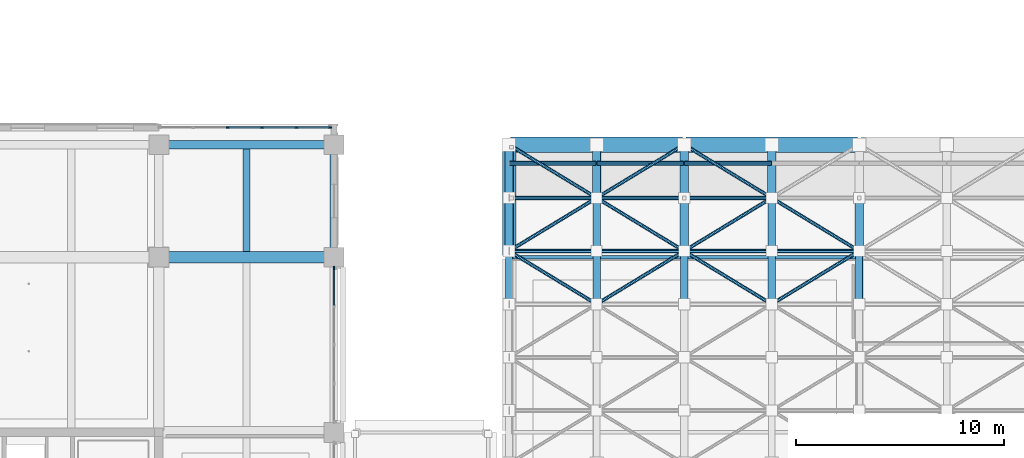
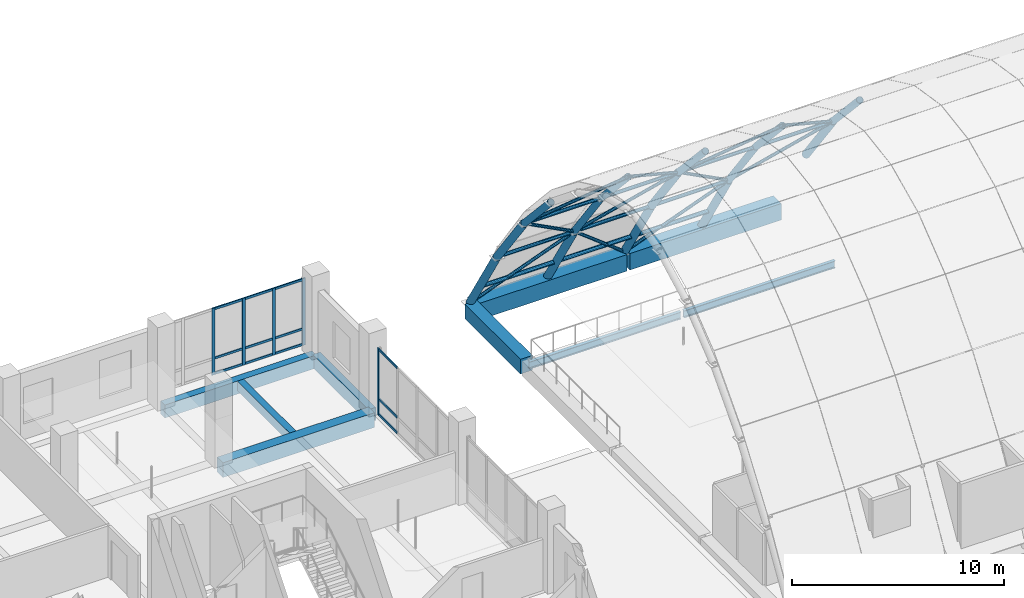
# One storey, part 27 of 128: 44 members, 17 beams, 2 elements without a shape of their own.
"""IFC4 building model written with IfcOpenShell, lengths in metres."""

import ifcopenshell
import ifcopenshell.guid

model = None  # the IFC model being written
_history = None  # IfcOwnerHistory: only IFC2X3 demands one
_inside = {}  # id of a spatial element -> (the spatial element, [elements in it])
_under = {}  # id of a project, library or spatial element -> (it, [spatial elements below it])
_declared = {}  # id of a project -> (the project, [libraries it declares])
_typed = {}  # id of a type object -> (the type object, [elements of that type])
_made_of = {}  # id of a material, layer set ... -> (it, [elements and type objects made of it])


def new_model(schema):
    """Start an empty IFC model of exactly this schema.

    Asked for "IFC4X3", IfcOpenShell would pick the latest addendum, in which some entities
    have other attributes; the version numbers below select the first issue.
    IFC2X3 requires an IfcOwnerHistory on every rooted entity: one is made here for all.
    """
    global model, _history
    if schema == "IFC4X3":
        model = ifcopenshell.file(schema_version=(4, 3, 0, 0))
    else:
        model = ifcopenshell.file(schema=schema)
    _inside.clear()
    _under.clear()
    _declared.clear()
    _typed.clear()
    _made_of.clear()
    _history = None
    if model.schema == "IFC2X3":
        org = make("IfcOrganization", Name="unknown")
        user = make(
            "IfcPersonAndOrganization",
            ThePerson=make("IfcPerson", FamilyName="unknown"),
            TheOrganization=org,
        )
        app = make(
            "IfcApplication",
            ApplicationDeveloper=org,
            Version="unknown",
            ApplicationFullName="unknown",
            ApplicationIdentifier="unknown",
        )
        _history = make(
            "IfcOwnerHistory",
            OwningUser=user,
            OwningApplication=app,
            ChangeAction="ADDED",
            CreationDate=0,
        )
    return model


def make(cls, **values):
    """One entity of the class cls with the attributes given. An attribute that is None is left unset."""
    return model.create_entity(
        cls, **{name: value for name, value in values.items() if value is not None}
    )


def rooted(cls, **values):
    """An entity with a GlobalId (a new one), such as an element, a storey or a relation."""
    return make(cls, GlobalId=ifcopenshell.guid.new(), OwnerHistory=_history, **values)


def si_unit(unit_type, name, prefix=None):
    """IfcSIUnit, for example si_unit("LENGTHUNIT", "METRE", prefix="MILLI")."""
    return make("IfcSIUnit", UnitType=unit_type, Prefix=prefix, Name=name)


def assignment(units):
    """IfcUnitAssignment: the units of a project."""
    return None if units is None else make("IfcUnitAssignment", Units=units)


def point(xyz):
    """IfcCartesianPoint."""
    return None if xyz is None else make("IfcCartesianPoint", Coordinates=xyz)


def direction(xyz):
    """IfcDirection."""
    return None if xyz is None else make("IfcDirection", DirectionRatios=xyz)


def frame(location, z_axis=None, x_axis=None):
    """IfcAxis2Placement3D, a coordinate frame: its origin and axes. An axis left out is left unset."""
    return make(
        "IfcAxis2Placement3D",
        Location=point(location),
        Axis=direction(z_axis),
        RefDirection=direction(x_axis),
    )


def frame_2d(location, x_axis=None):
    """IfcAxis2Placement2D, a coordinate frame in the plane: its origin and x axis."""
    return make(
        "IfcAxis2Placement2D", Location=point(location), RefDirection=direction(x_axis)
    )


def origin():
    """The frame at (0, 0, 0) with its axes left unset."""
    return frame((0.0, 0.0, 0.0))


def origin_2d():
    """The frame at (0, 0) in the plane with its x axis left unset."""
    return frame_2d((0.0, 0.0))


def place(relative_to, where):
    """IfcLocalPlacement: puts the frame where relative to a parent placement (None: the world)."""
    return make(
        "IfcLocalPlacement", PlacementRelTo=relative_to, RelativePlacement=where
    )


def context(
    kind, dimensions, precision=None, world=None, true_north=None, identifier=None
):
    """IfcGeometricRepresentationContext, for example the 3D "Model" context."""
    return make(
        "IfcGeometricRepresentationContext",
        ContextIdentifier=identifier,
        ContextType=kind,
        CoordinateSpaceDimension=dimensions,
        Precision=precision,
        WorldCoordinateSystem=world,
        TrueNorth=true_north,
    )


def subcontext(parent, identifier, kind, view, scale=None):
    """IfcGeometricRepresentationSubContext, for example "Body" below "Model"."""
    return make(
        "IfcGeometricRepresentationSubContext",
        ContextIdentifier=identifier,
        ContextType=kind,
        ParentContext=parent,
        TargetScale=scale,
        TargetView=view,
    )


def project(units=None, contexts=None):
    """IfcProject with its units and contexts."""
    return rooted(
        "IfcProject",
        Name="project",
        RepresentationContexts=contexts,
        UnitsInContext=assignment(units),
    )


def spatial(cls, under=None, at=None, **own):
    """A site, building, storey or space (cls), placed at a placement, below another one or the project."""
    s = rooted(cls, ObjectPlacement=at, **own)
    if under is not None:
        _under.setdefault(under.id(), (under, []))[1].append(s)
    return s


def profile(cls, at=None, kind="AREA", **sizes):
    """A parametric profile (cls). Its sizes go by their IFC names, for example OverallWidth=200.0."""
    return make(cls, ProfileType=kind, Position=at, **sizes)


def rectangle(**sizes):
    """IfcRectangleProfileDef."""
    return profile("IfcRectangleProfileDef", **sizes)


def hollow_circle(**sizes):
    """IfcCircleHollowProfileDef."""
    return profile("IfcCircleHollowProfileDef", **sizes)


def i_section(**sizes):
    """IfcIShapeProfileDef."""
    return profile("IfcIShapeProfileDef", **sizes)


def extrude(swept, where, along, depth):
    """IfcExtrudedAreaSolid: the profile swept, set in the frame where, extruded along a direction by depth."""
    return make(
        "IfcExtrudedAreaSolid",
        SweptArea=swept,
        Position=where,
        ExtrudedDirection=direction(along),
        Depth=depth,
    )


def shape(context_of_items, identifier, shape_type, items):
    """IfcShapeRepresentation: the items that make up one representation, for example the "Body"."""
    return make(
        "IfcShapeRepresentation",
        ContextOfItems=context_of_items,
        RepresentationIdentifier=identifier,
        RepresentationType=shape_type,
        Items=items,
    )


def material(Name=None, Category=None):
    """IfcMaterial."""
    return make("IfcMaterial", Name=Name, Category=Category)


def layer(
    of_material, thickness, ventilated=None, Name=None, Category=None, Priority=None
):
    """IfcMaterialLayer: one layer of a wall or slab, of a material (None: an air gap)."""
    return make(
        "IfcMaterialLayer",
        Material=of_material,
        LayerThickness=thickness,
        IsVentilated=ventilated,
        Name=Name,
        Category=Category,
        Priority=Priority,
    )


def layer_set(layers, Name=None):
    """IfcMaterialLayerSet."""
    return make("IfcMaterialLayerSet", MaterialLayers=layers, LayerSetName=Name)


def material_profile(
    of_material, cross_section, Name=None, Category=None, Priority=None
):
    """IfcMaterialProfile: a cross section and its material."""
    return make(
        "IfcMaterialProfile",
        Name=Name,
        Material=of_material,
        Profile=cross_section,
        Priority=Priority,
        Category=Category,
    )


def profile_set(profiles, Name=None, composite=None):
    """IfcMaterialProfileSet."""
    return make(
        "IfcMaterialProfileSet",
        Name=Name,
        MaterialProfiles=profiles,
        CompositeProfile=composite,
    )


def made_of(thing, what):
    """Note that an element or type object is made of a material, layer set ...; save() writes the relation."""
    if what is not None:
        _made_of.setdefault(what.id(), (what, []))[1].append(thing)
    return thing


def type_object(cls, material=None, **own):
    """A type object (cls), such as IfcWallType, which elements share."""
    return made_of(rooted(cls, **own), material)


def element(
    cls,
    number,
    at=None,
    inside=None,
    cuts=None,
    type_object=None,
    material=None,
    context=None,
    identifier="Body",
    shape_type=None,
    held_by="IfcProductDefinitionShape",
    body=None,
    shapes=None,
    **own,
):
    """One element of the class cls, such as IfcWall. Its Tag is "e" and its number.

    at: its placement. inside: the storey or other place that contains it. cuts: it is an
    opening in that element (IfcRelVoidsElement). A single representation is given by context,
    identifier, shape_type and body (its items); several are given by shapes. held_by: the class
    of the entity that holds the representations. save() writes the other relations.
    """
    e = rooted(cls, Tag="e%d" % number, ObjectPlacement=at, **own)
    if body is not None:
        shapes = [shape(context, identifier, shape_type, body)]
    if shapes is not None:
        e.Representation = make(held_by, Representations=shapes)
    if inside is not None:
        _inside.setdefault(inside.id(), (inside, []))[1].append(e)
    if cuts is not None:
        rooted(
            "IfcRelVoidsElement", RelatingBuildingElement=cuts, RelatedOpeningElement=e
        )
    if type_object is not None:
        _typed.setdefault(type_object.id(), (type_object, []))[1].append(e)
    return made_of(e, material)


def aggregate(whole, parts):
    """IfcRelAggregates: a whole, such as a stair, and the parts it consists of."""
    return rooted("IfcRelAggregates", RelatingObject=whole, RelatedObjects=parts)


def save(model, path):
    """Write the relations noted so far, then the file.

    IfcRelAggregates (storeys below a building ...), IfcRelContainedInSpatialStructure (elements
    in a storey), IfcRelDefinesByType, IfcRelAssociatesMaterial and IfcRelDeclares: one each for
    every whole, place, type object, material and project.
    """
    for whole, parts in _under.values():
        aggregate(whole, parts)
    for where, things in _inside.values():
        rooted(
            "IfcRelContainedInSpatialStructure",
            RelatedElements=things,
            RelatingStructure=where,
        )
    for kind, things in _typed.values():
        rooted("IfcRelDefinesByType", RelatedObjects=things, RelatingType=kind)
    for what, things in _made_of.values():
        rooted("IfcRelAssociatesMaterial", RelatedObjects=things, RelatingMaterial=what)
    for by, libraries in _declared.values():
        rooted("IfcRelDeclares", RelatingContext=by, RelatedDefinitions=libraries)
    model.write(path)


model = new_model("IFC4")

# Units and contexts
model_context = context("Model", 3, precision=1e-05, world=origin(), true_north=direction((0.0, 1.0)))
body_context = subcontext(model_context, "Body", "Model", "MODEL_VIEW")
ifc_project = project(units=[si_unit("LENGTHUNIT", "METRE"), si_unit("AREAUNIT", "SQUARE_METRE"), si_unit("VOLUMEUNIT", "CUBIC_METRE"), si_unit("PLANEANGLEUNIT", "RADIAN"), si_unit("MASSUNIT", "GRAM", prefix="KILO")], contexts=[model_context])

# Site, building, storey
site_placement = place(None, origin())
site = spatial("IfcSite", under=ifc_project, at=site_placement, CompositionType="ELEMENT")
building_placement = place(site_placement, origin())
building = spatial("IfcBuilding", under=site, at=building_placement, Name="Telukmera Botanical Conservatory", CompositionType="ELEMENT")
storey_placement = place(building_placement, frame((0.0, 0.0, 5.39990234375)))
storey = spatial("IfcBuildingStorey", under=building, at=storey_placement, Name="L01", CompositionType="ELEMENT", Elevation=5.39990234375)

# Beams
ifc_material_1 = material(Name="Concrete C40/50", Category="concrete")
ifc_material_profile_1 = material_profile(ifc_material_1, rectangle(XDim=0.35009765625, YDim=0.550048828125, at=origin_2d()), Name="RC 350x550")
ifc_profile_set_1 = profile_set([ifc_material_profile_1], Name="Concrete C40/50")
beam_type_1 = type_object("IfcBeamType", Name="Beam_B21", PredefinedType="JOIST", material=ifc_profile_set_1)
beam_1_placement = place(storey_placement, frame((105.0, 43.074951171875, -0.27490234375), z_axis=(0.0, 1.0, 0.0), x_axis=(-1.0, 0.0, 0.0)))
element("IfcBeam", 1, at=beam_1_placement, inside=storey, type_object=beam_type_1, Name="Tower Secondary Floor Joist L01", PredefinedType="JOIST", context=body_context, shape_type="SweptSolid", body=[
    extrude(rectangle(XDim=0.35009765625, YDim=0.550048828125, at=origin_2d()), origin(), (0.0, 0.0, 1.0), 4.925048828125),
])
ifc_material_profile_2 = material_profile(ifc_material_1, rectangle(XDim=0.550048828125, YDim=0.85009765625, at=origin_2d()), Name="RC 550x850")
ifc_profile_set_2 = profile_set([ifc_material_profile_2], Name="Concrete C40/50")
beam_type_2 = type_object("IfcBeamType", Name="Beam_B4", PredefinedType="BEAM", material=ifc_profile_set_2)
beam_2_placement = place(storey_placement, frame((100.8798828125, 42.800048828125, -0.4248046875), z_axis=(1.0, 0.0, 0.0), x_axis=(0.0, 1.0, 0.0)))
element("IfcBeam", 2, at=beam_2_placement, inside=storey, type_object=beam_type_2, Name="Tower Grid Beam L01", PredefinedType="BEAM", context=body_context, shape_type="SweptSolid", body=[
    extrude(rectangle(XDim=0.550048828125, YDim=0.85009765625, at=origin_2d()), origin(), (0.0, 0.0, 1.0), 8.240234375),
])
ifc_material_2 = material(Name="Steel S355", Category="steel")
ifc_material_profile_3 = material_profile(ifc_material_2, hollow_circle(Radius=0.203125, WallThickness=0.01611328125, at=origin_2d()), Name="CHS 406.4x16.0")
ifc_profile_set_3 = profile_set([ifc_material_profile_3], Name="Steel S355")
beam_type_3 = type_object("IfcBeamType", Name="Beam_GA1", PredefinedType="BEAM", material=ifc_profile_set_3)
beam_3_placement = place(storey_placement, frame((117.60009765625, 43.11181640625, 7.562255859375), z_axis=(0.0, 0.591606531355, -0.806226836603), x_axis=(-1.0, 0.0, 0.0)))
element("IfcBeam", 3, at=beam_3_placement, inside=storey, type_object=beam_type_3, Name="Conservatory Gridshell Primary Arch Rib A00-10", PredefinedType="BEAM", context=body_context, shape_type="SweptSolid", body=[
    extrude(hollow_circle(Radius=0.203125, WallThickness=0.01611328125, at=origin_2d()), origin(), (0.0, 0.0, 1.0), 4.270263671875),
])
beam_4_placement = place(storey_placement, frame((117.60009765625, 45.660400390625, 4.086181640625), z_axis=(0.0, 0.5205024389, -0.853860182406), x_axis=(-1.0, 0.0, 0.0)))
element("IfcBeam", 4, at=beam_4_placement, inside=storey, type_object=beam_type_3, Name="Conservatory Gridshell Primary Arch Rib A00-11", PredefinedType="BEAM", context=body_context, shape_type="SweptSolid", body=[
    extrude(hollow_circle(Radius=0.203125, WallThickness=0.01611328125, at=origin_2d()), origin(), (0.0, 0.0, 1.0), 4.879150390625),
])
beam_5_placement = place(storey_placement, frame((126.0, 43.11181640625, 7.562255859375), z_axis=(0.0, 0.591606531355, -0.806226836603), x_axis=(-1.0, 0.0, 0.0)))
element("IfcBeam", 5, at=beam_5_placement, inside=storey, type_object=beam_type_3, Name="Conservatory Gridshell Primary Arch Rib A02-10", PredefinedType="BEAM", context=body_context, shape_type="SweptSolid", body=[
    extrude(hollow_circle(Radius=0.203125, WallThickness=0.01611328125, at=origin_2d()), origin(), (0.0, 0.0, 1.0), 4.270263671875),
])
beam_6_placement = place(storey_placement, frame((126.0, 45.660400390625, 4.086181640625), z_axis=(0.0, 0.5205024389, -0.853860182406), x_axis=(-1.0, 0.0, 0.0)))
element("IfcBeam", 6, at=beam_6_placement, inside=storey, type_object=beam_type_3, Name="Conservatory Gridshell Primary Arch Rib A02-11", PredefinedType="BEAM", context=body_context, shape_type="SweptSolid", body=[
    extrude(hollow_circle(Radius=0.203125, WallThickness=0.01611328125, at=origin_2d()), origin(), (0.0, 0.0, 1.0), 4.879150390625),
])
beam_7_placement = place(storey_placement, frame((134.39990234375, 43.11181640625, 7.562255859375), z_axis=(0.0, 0.591606531355, -0.806226836603), x_axis=(-1.0, 0.0, 0.0)))
element("IfcBeam", 7, at=beam_7_placement, inside=storey, type_object=beam_type_3, Name="Conservatory Gridshell Primary Arch Rib A04-10", PredefinedType="BEAM", context=body_context, shape_type="SweptSolid", body=[
    extrude(hollow_circle(Radius=0.203125, WallThickness=0.01611328125, at=origin_2d()), origin(), (0.0, 0.0, 1.0), 4.270263671875),
])
ifc_material_profile_4 = material_profile(ifc_material_2, hollow_circle(Radius=0.177734375, WallThickness=0.012451171875, at=origin_2d()), Name="CHS 355.6x12.5")
ifc_profile_set_4 = profile_set([ifc_material_profile_4], Name="Steel S355")
beam_type_4 = type_object("IfcBeamType", Name="Beam_GA2", PredefinedType="BEAM", material=ifc_profile_set_4)
for number, where, z_axis, x_axis, name in (
    (8, (117.60009765625, 40.563720703125, 10.3310546875), (0.0, 0.677596185256, -0.7354341641), (-1.0, 0.0, 0.0), "Conservatory Gridshell Primary Arch Rib A00-09"),
    (9, (126.0, 40.563720703125, 10.3310546875), (0.0, 0.677596185256, -0.7354341641), (-1.0, 0.0, 0.0), "Conservatory Gridshell Primary Arch Rib A02-09"),
    (10, (134.39990234375, 40.563720703125, 10.3310546875), (0.0, 0.677596185256, -0.7354341641), (-1.0, 0.0, 0.0), "Conservatory Gridshell Primary Arch Rib A04-09"),
):
    element("IfcBeam", number, at=place(storey_placement, frame(where, z_axis=z_axis, x_axis=x_axis)), inside=storey, type_object=beam_type_4, Name=name, PredefinedType="BEAM", context=body_context, shape_type="SweptSolid", body=[
        extrude(hollow_circle(Radius=0.177734375, WallThickness=0.012451171875, at=origin_2d()), origin(), (0.0, 0.0, 1.0), 3.722900390625),
    ])
ifc_material_profile_5 = material_profile(ifc_material_1, rectangle(XDim=0.75, YDim=0.949951171875, at=origin_2d()), Name="RC 750x950")
ifc_profile_set_5 = profile_set([ifc_material_profile_5], Name="Concrete C40/50")
beam_type_5 = type_object("IfcBeamType", Name="Beam_RB1", PredefinedType="BEAM", material=ifc_profile_set_5)
for number, where, z_axis, x_axis, name in (
    (11, (117.679931640625, 48.199951171875, -0.474853515625), (1.0, 0.0, 0.0), (0.0, 1.0, 0.0), "Conservatory Beam beam:V1:L01:rb_x:482:1176"),
    (12, (126.080078125, 48.199951171875, -0.474853515625), (1.0, 0.0, 0.0), (0.0, 1.0, 0.0), "Conservatory Beam beam:V1:L01:rb_x:482:1260"),
):
    element("IfcBeam", number, at=place(storey_placement, frame(where, z_axis=z_axis, x_axis=x_axis)), inside=storey, type_object=beam_type_5, Name=name, PredefinedType="BEAM", context=body_context, shape_type="SweptSolid", body=[
        extrude(rectangle(XDim=0.75, YDim=0.949951171875, at=origin_2d()), origin(), (0.0, 0.0, 1.0), 8.239990234375),
    ])
ifc_material_profile_6 = material_profile(ifc_material_1, rectangle(XDim=0.64990234375, YDim=0.85009765625, at=origin_2d()), Name="RC 650x850")
ifc_profile_set_6 = profile_set([ifc_material_profile_6], Name="Concrete C40/50")
beam_type_6 = type_object("IfcBeamType", Name="Beam_RB2", PredefinedType="BEAM", material=ifc_profile_set_6)
beam_8_placement = place(storey_placement, frame((117.60009765625, 42.8798828125, -0.4248046875), z_axis=(0.0, 1.0, 0.0), x_axis=(-1.0, 0.0, 0.0)))
element("IfcBeam", 13, at=beam_8_placement, inside=storey, type_object=beam_type_6, Name="Conservatory Beam beam:V1:L01:rb_y:1176:428", PredefinedType="BEAM", context=body_context, shape_type="SweptSolid", body=[
    extrude(rectangle(XDim=0.64990234375, YDim=0.85009765625, at=origin_2d()), origin(), (0.0, 0.0, 1.0), 5.240234375),
])
ifc_material_profile_7 = material_profile(ifc_material_2, i_section(OverallWidth=0.1787109375, OverallDepth=0.409423828125, WebThickness=0.0087890625, FlangeThickness=0.014404296875, FilletRadius=0.01025390625, at=origin_2d()), Name="UB 406x178x67")
ifc_profile_set_7 = profile_set([ifc_material_profile_7], Name="Steel S355")
beam_type_7 = type_object("IfcBeamType", Name="Beam_SB4", PredefinedType="BEAM", material=ifc_profile_set_7)
for number, where, z_axis, x_axis, name in (
    (14, (117.679931640625, 42.800048828125, -0.404541015625), (1.0, 0.0, 0.0), (0.0, 1.0, 0.0), "Conservatory Skywalk Steel Girder"),
    (15, (126.080078125, 42.800048828125, -0.404541015625), (1.0, 0.0, 0.0), (0.0, 1.0, 0.0), "Conservatory Skywalk Steel Girder"),
):
    element("IfcBeam", number, at=place(storey_placement, frame(where, z_axis=z_axis, x_axis=x_axis)), inside=storey, type_object=beam_type_7, Name=name, PredefinedType="BEAM", context=body_context, shape_type="SweptSolid", body=[
        extrude(i_section(OverallWidth=0.1787109375, OverallDepth=0.409423828125, WebThickness=0.0087890625, FlangeThickness=0.014404296875, FilletRadius=0.01025390625, at=origin_2d()), origin(), (0.0, 0.0, 1.0), 8.239990234375),
    ])
ifc_material_3 = material(Name="Precast concrete C40/50", Category="concrete")
ifc_material_profile_8 = material_profile(ifc_material_3, rectangle(XDim=0.39990234375, YDim=0.75, at=origin_2d()), Name="PC 400x750")
ifc_profile_set_8 = profile_set([ifc_material_profile_8], Name="Precast concrete C40/50")
beam_type_8 = type_object("IfcBeamType", Name="Beam_SP1", PredefinedType="SPANDREL", material=ifc_profile_set_8)
beam_9_placement = place(storey_placement, frame((100.8798828125, 48.199951171875, -0.375), z_axis=(1.0, 0.0, 0.0), x_axis=(0.0, 1.0, 0.0)))
element("IfcBeam", 16, at=beam_9_placement, inside=storey, type_object=beam_type_8, Name="Tower Grid Beam L01", PredefinedType="SPANDREL", context=body_context, shape_type="SweptSolid", body=[
    extrude(rectangle(XDim=0.39990234375, YDim=0.75, at=origin_2d()), origin(), (0.0, 0.0, 1.0), 8.240234375),
])
beam_10_placement = place(storey_placement, frame((109.199951171875, 42.8798828125, -0.375), z_axis=(0.0, 1.0, 0.0), x_axis=(-1.0, 0.0, 0.0)))
element("IfcBeam", 17, at=beam_10_placement, inside=storey, type_object=beam_type_8, Name="Tower Transverse Beam L01", PredefinedType="SPANDREL", context=body_context, shape_type="SweptSolid", body=[
    extrude(rectangle(XDim=0.39990234375, YDim=0.75, at=origin_2d()), origin(), (0.0, 0.0, 1.0), 5.240234375),
])

# Curtain wall, members
ifc_material_4 = material(Name="Anodised aluminium 6063-T6", Category="aluminium")
ifc_layer = layer(ifc_material_4, 0.179931640625)
ifc_layer_set = layer_set([ifc_layer], Name="Anodised aluminium 6063-T6")
curtain_wall_type = type_object("IfcCurtainWallType", Name="Tower Reference Library Curtain Wall", PredefinedType="USERDEFINED", material=ifc_layer_set)
curtain_wall_1_placement = place(storey_placement, origin())
curtain_wall_1 = element("IfcCurtainWall", 18, at=curtain_wall_1_placement, inside=storey, type_object=curtain_wall_type, Name="Unitised Curtain Wall CW13 V4:L01:N7", ObjectType="UNITISED CURTAIN WALL", PredefinedType="USERDEFINED")
ifc_material_profile_9 = material_profile(ifc_material_4, rectangle(XDim=0.06494140625, YDim=0.159912109375, at=origin_2d()), Name="ALU MULL 65x160")
ifc_profile_set_9 = profile_set([ifc_material_profile_9], Name="Anodised aluminium 6063-T6")
member_type_1 = type_object("IfcMemberType", Name="Curtain Wall Extruded Mullion 65x160", PredefinedType="MULLION", material=ifc_profile_set_9)
member_1_placement = place(storey_placement, frame((104.100341796875, 49.02001953125, 0.0), z_axis=(0.0, 0.0, 1.0), x_axis=(0.0, 1.0, 0.0)))
member_1 = element("IfcMember", 19, at=member_1_placement, type_object=member_type_1, Name="CW13 mullion 3", PredefinedType="MULLION", context=body_context, shape_type="SweptSolid", body=[
    extrude(rectangle(XDim=0.06494140625, YDim=0.159912109375, at=origin_2d()), origin(), (0.0, 0.0, 1.0), 3.85009765625),
])
member_2_placement = place(storey_placement, frame((105.74951171875, 49.02001953125, 0.0), z_axis=(0.0, 0.0, 1.0), x_axis=(0.0, 1.0, 0.0)))
member_2 = element("IfcMember", 20, at=member_2_placement, type_object=member_type_1, Name="CW13 mullion 4", PredefinedType="MULLION", context=body_context, shape_type="SweptSolid", body=[
    extrude(rectangle(XDim=0.06494140625, YDim=0.159912109375, at=origin_2d()), origin(), (0.0, 0.0, 1.0), 3.85009765625),
])
member_3_placement = place(storey_placement, frame((107.398681640625, 49.02001953125, 0.0), z_axis=(0.0, 0.0, 1.0), x_axis=(0.0, 1.0, 0.0)))
member_3 = element("IfcMember", 21, at=member_3_placement, type_object=member_type_1, Name="CW13 mullion 5", PredefinedType="MULLION", context=body_context, shape_type="SweptSolid", body=[
    extrude(rectangle(XDim=0.06494140625, YDim=0.159912109375, at=origin_2d()), origin(), (0.0, 0.0, 1.0), 3.85009765625),
])
member_4_placement = place(storey_placement, frame((109.015380859375, 49.02001953125, 0.0), z_axis=(0.0, 0.0, 1.0), x_axis=(0.0, 1.0, 0.0)))
member_4 = element("IfcMember", 22, at=member_4_placement, type_object=member_type_1, Name="CW13 mullion 6", PredefinedType="MULLION", context=body_context, shape_type="SweptSolid", body=[
    extrude(rectangle(XDim=0.06494140625, YDim=0.159912109375, at=origin_2d()), origin(), (0.0, 0.0, 1.0), 3.85009765625),
])

# Curtain wall, member
curtain_wall_2_placement = place(storey_placement, origin())
curtain_wall_2 = element("IfcCurtainWall", 23, at=curtain_wall_2_placement, inside=storey, type_object=curtain_wall_type, Name="Unitised Curtain Wall CW13 V4:L01:E4", ObjectType="UNITISED CURTAIN WALL", PredefinedType="USERDEFINED")
member_5_placement = place(storey_placement, frame((109.199951171875, 42.29052734375, 0.0), z_axis=(0.0, 0.0, 1.0), x_axis=(-1.0, 0.0, 0.0)))
member_5 = element("IfcMember", 24, at=member_5_placement, type_object=member_type_1, Name="CW13 mullion 5", PredefinedType="MULLION", context=body_context, shape_type="SweptSolid", body=[
    extrude(rectangle(XDim=0.06494140625, YDim=0.159912109375, at=origin_2d()), origin(), (0.0, 0.0, 1.0), 3.85009765625),
])

# Member
ifc_material_profile_10 = material_profile(ifc_material_4, rectangle(XDim=0.06494140625, YDim=0.1298828125, at=origin_2d()), Name="ALU TRAN 65x130")
ifc_profile_set_10 = profile_set([ifc_material_profile_10], Name="Anodised aluminium 6063-T6")
member_type_2 = type_object("IfcMemberType", Name="Curtain Wall Extruded Transom 65x130", PredefinedType="USERDEFINED", material=ifc_profile_set_10)
member_6_placement = place(storey_placement, frame((104.1328125, 49.02001953125, 0.065185546875), z_axis=(1.0, 0.0, 0.0), x_axis=(0.0, 1.0, 0.0)))
member_6 = element("IfcMember", 25, at=member_6_placement, type_object=member_type_2, Name="CW13 transom 3.1", ObjectType="TRANSOM", PredefinedType="USERDEFINED", context=body_context, shape_type="SweptSolid", body=[
    extrude(rectangle(XDim=0.06494140625, YDim=0.1298828125, at=origin_2d()), origin(), (0.0, 0.0, 1.0), 1.584228515625),
])

member_7_placement = place(storey_placement, frame((104.1328125, 49.02001953125, 0.9501953125), z_axis=(1.0, 0.0, 0.0), x_axis=(0.0, 1.0, 0.0)))
member_7 = element("IfcMember", 26, at=member_7_placement, type_object=member_type_2, Name="CW13 transom 3.2", ObjectType="TRANSOM", PredefinedType="USERDEFINED", context=body_context, shape_type="SweptSolid", body=[
    extrude(rectangle(XDim=0.06494140625, YDim=0.1298828125, at=origin_2d()), origin(), (0.0, 0.0, 1.0), 1.584228515625),
])

member_8_placement = place(storey_placement, frame((104.1328125, 49.02001953125, 3.78515625), z_axis=(1.0, 0.0, 0.0), x_axis=(0.0, 1.0, 0.0)))
member_8 = element("IfcMember", 27, at=member_8_placement, type_object=member_type_2, Name="CW13 transom 3.3", ObjectType="TRANSOM", PredefinedType="USERDEFINED", context=body_context, shape_type="SweptSolid", body=[
    extrude(rectangle(XDim=0.06494140625, YDim=0.1298828125, at=origin_2d()), origin(), (0.0, 0.0, 1.0), 1.584228515625),
])

member_9_placement = place(storey_placement, frame((105.781982421875, 49.02001953125, 0.065185546875), z_axis=(1.0, 0.0, 0.0), x_axis=(0.0, 1.0, 0.0)))
member_9 = element("IfcMember", 28, at=member_9_placement, type_object=member_type_2, Name="CW13 transom 4.1", ObjectType="TRANSOM", PredefinedType="USERDEFINED", context=body_context, shape_type="SweptSolid", body=[
    extrude(rectangle(XDim=0.06494140625, YDim=0.1298828125, at=origin_2d()), origin(), (0.0, 0.0, 1.0), 1.584228515625),
])

member_10_placement = place(storey_placement, frame((105.781982421875, 49.02001953125, 0.9501953125), z_axis=(1.0, 0.0, 0.0), x_axis=(0.0, 1.0, 0.0)))
member_10 = element("IfcMember", 29, at=member_10_placement, type_object=member_type_2, Name="CW13 transom 4.2", ObjectType="TRANSOM", PredefinedType="USERDEFINED", context=body_context, shape_type="SweptSolid", body=[
    extrude(rectangle(XDim=0.06494140625, YDim=0.1298828125, at=origin_2d()), origin(), (0.0, 0.0, 1.0), 1.584228515625),
])

member_11_placement = place(storey_placement, frame((105.781982421875, 49.02001953125, 3.78515625), z_axis=(1.0, 0.0, 0.0), x_axis=(0.0, 1.0, 0.0)))
member_11 = element("IfcMember", 30, at=member_11_placement, type_object=member_type_2, Name="CW13 transom 4.3", ObjectType="TRANSOM", PredefinedType="USERDEFINED", context=body_context, shape_type="SweptSolid", body=[
    extrude(rectangle(XDim=0.06494140625, YDim=0.1298828125, at=origin_2d()), origin(), (0.0, 0.0, 1.0), 1.584228515625),
])

member_12_placement = place(storey_placement, frame((107.431396484375, 49.02001953125, 0.065185546875), z_axis=(1.0, 0.0, 0.0), x_axis=(0.0, 1.0, 0.0)))
member_12 = element("IfcMember", 31, at=member_12_placement, type_object=member_type_2, Name="CW13 transom 5.1", ObjectType="TRANSOM", PredefinedType="USERDEFINED", context=body_context, shape_type="SweptSolid", body=[
    extrude(rectangle(XDim=0.06494140625, YDim=0.1298828125, at=origin_2d()), origin(), (0.0, 0.0, 1.0), 1.551513671875),
])

member_13_placement = place(storey_placement, frame((107.431396484375, 49.02001953125, 0.9501953125), z_axis=(1.0, 0.0, 0.0), x_axis=(0.0, 1.0, 0.0)))
member_13 = element("IfcMember", 32, at=member_13_placement, type_object=member_type_2, Name="CW13 transom 5.2", ObjectType="TRANSOM", PredefinedType="USERDEFINED", context=body_context, shape_type="SweptSolid", body=[
    extrude(rectangle(XDim=0.06494140625, YDim=0.1298828125, at=origin_2d()), origin(), (0.0, 0.0, 1.0), 1.551513671875),
])

member_14_placement = place(storey_placement, frame((107.431396484375, 49.02001953125, 3.78515625), z_axis=(1.0, 0.0, 0.0), x_axis=(0.0, 1.0, 0.0)))
member_14 = element("IfcMember", 33, at=member_14_placement, type_object=member_type_2, Name="CW13 transom 5.3", ObjectType="TRANSOM", PredefinedType="USERDEFINED", context=body_context, shape_type="SweptSolid", body=[
    extrude(rectangle(XDim=0.06494140625, YDim=0.1298828125, at=origin_2d()), origin(), (0.0, 0.0, 1.0), 1.551513671875),
])

aggregate(curtain_wall_1, [member_1, member_2, member_3, member_4, member_6, member_7, member_8, member_9, member_10, member_11, member_12, member_13, member_14])

member_15_placement = place(storey_placement, frame((109.199951171875, 40.493896484375, 0.065185546875), z_axis=(0.0, 1.0, 0.0), x_axis=(-1.0, 0.0, 0.0)))
member_15 = element("IfcMember", 34, at=member_15_placement, type_object=member_type_2, Name="CW13 transom 4.1", ObjectType="TRANSOM", PredefinedType="USERDEFINED", context=body_context, shape_type="SweptSolid", body=[
    extrude(rectangle(XDim=0.06494140625, YDim=0.1298828125, at=origin_2d()), origin(), (0.0, 0.0, 1.0), 1.76416015625),
])

member_16_placement = place(storey_placement, frame((109.199951171875, 40.493896484375, 0.9501953125), z_axis=(0.0, 1.0, 0.0), x_axis=(-1.0, 0.0, 0.0)))
member_16 = element("IfcMember", 35, at=member_16_placement, type_object=member_type_2, Name="CW13 transom 4.2", ObjectType="TRANSOM", PredefinedType="USERDEFINED", context=body_context, shape_type="SweptSolid", body=[
    extrude(rectangle(XDim=0.06494140625, YDim=0.1298828125, at=origin_2d()), origin(), (0.0, 0.0, 1.0), 1.76416015625),
])

member_17_placement = place(storey_placement, frame((109.199951171875, 40.493896484375, 3.78515625), z_axis=(0.0, 1.0, 0.0), x_axis=(-1.0, 0.0, 0.0)))
member_17 = element("IfcMember", 36, at=member_17_placement, type_object=member_type_2, Name="CW13 transom 4.3", ObjectType="TRANSOM", PredefinedType="USERDEFINED", context=body_context, shape_type="SweptSolid", body=[
    extrude(rectangle(XDim=0.06494140625, YDim=0.1298828125, at=origin_2d()), origin(), (0.0, 0.0, 1.0), 1.76416015625),
])

aggregate(curtain_wall_2, [member_5, member_15, member_16, member_17])

# Members
ifc_material_profile_11 = material_profile(ifc_material_2, hollow_circle(Radius=0.084228515625, WallThickness=0.008056640625, at=origin_2d()), Name="CHS 168.3x8.0")
ifc_profile_set_11 = profile_set([ifc_material_profile_11], Name="Steel S355")
member_type_3 = type_object("IfcMemberType", Name="Mem_GBX1", PredefinedType="USERDEFINED", material=ifc_profile_set_11)
member_18_placement = place(storey_placement, frame((121.788818359375, 40.556884765625, 10.33837890625), z_axis=(-0.744790622778, 0.452175653345, -0.49073832818), x_axis=(-0.518962491813, -0.854797012215, 0.0)))
element("IfcMember", 37, at=member_18_placement, inside=storey, type_object=member_type_3, Name="Conservatory Gridshell Diagrid Lacing Rib D00-09", ObjectType="GRIDSHELL_RIB", PredefinedType="USERDEFINED", context=body_context, shape_type="SweptSolid", body=[
    extrude(hollow_circle(Radius=0.084228515625, WallThickness=0.008056640625, at=origin_2d()), origin(), (0.0, 0.0, 1.0), 5.609375),
])
member_19_placement = place(storey_placement, frame((117.610595703125, 43.1064453125, 7.569580078125), z_axis=(0.697882692567, 0.423695562374, -0.577444211885), x_axis=(-0.518961193204, 0.854797800622, 0.0)))
element("IfcMember", 38, at=member_19_placement, inside=storey, type_object=member_type_3, Name="Conservatory Gridshell Diagrid Lacing Rib D00-10", ObjectType="GRIDSHELL_RIB", PredefinedType="USERDEFINED", context=body_context, shape_type="SweptSolid", body=[
    extrude(hollow_circle(Radius=0.084228515625, WallThickness=0.008056640625, at=origin_2d()), origin(), (0.0, 0.0, 1.0), 5.988037109375),
])
member_20_placement = place(storey_placement, frame((121.790283203125, 45.656005859375, 4.093505859375), z_axis=(-0.650865922771, 0.395153697796, -0.648249262008), x_axis=(-0.518963837977, -0.854796194933, 0.0)))
element("IfcMember", 39, at=member_20_placement, inside=storey, type_object=member_type_3, Name="Conservatory Gridshell Diagrid Lacing Rib D00-11", ObjectType="GRIDSHELL_RIB", PredefinedType="USERDEFINED", context=body_context, shape_type="SweptSolid", body=[
    extrude(hollow_circle(Radius=0.084228515625, WallThickness=0.008056640625, at=origin_2d()), origin(), (0.0, 0.0, 1.0), 6.437744140625),
])
member_21_placement = place(storey_placement, frame((121.811279296875, 40.556884765625, 10.33837890625), z_axis=(0.74477124096, 0.452190311632, -0.490754236563), x_axis=(-0.518984652148, 0.854783557888, 0.0)))
element("IfcMember", 40, at=member_21_placement, inside=storey, type_object=member_type_3, Name="Conservatory Gridshell Diagrid Lacing Rib D01-09", ObjectType="GRIDSHELL_RIB", PredefinedType="USERDEFINED", context=body_context, shape_type="SweptSolid", body=[
    extrude(hollow_circle(Radius=0.084228515625, WallThickness=0.008056640625, at=origin_2d()), origin(), (0.0, 0.0, 1.0), 5.609130859375),
])
member_22_placement = place(storey_placement, frame((125.989501953125, 43.1064453125, 7.569580078125), z_axis=(-0.697882692567, 0.423695562374, -0.577444211885), x_axis=(-0.518961193204, -0.854797800622, 0.0)))
element("IfcMember", 41, at=member_22_placement, inside=storey, type_object=member_type_3, Name="Conservatory Gridshell Diagrid Lacing Rib D01-10", ObjectType="GRIDSHELL_RIB", PredefinedType="USERDEFINED", context=body_context, shape_type="SweptSolid", body=[
    extrude(hollow_circle(Radius=0.084228515625, WallThickness=0.008056640625, at=origin_2d()), origin(), (0.0, 0.0, 1.0), 5.988037109375),
])
member_23_placement = place(storey_placement, frame((121.809814453125, 45.656005859375, 4.093505859375), z_axis=(0.650865922771, 0.395153697796, -0.648249262008), x_axis=(-0.518963837977, 0.854796194933, 0.0)))
element("IfcMember", 42, at=member_23_placement, inside=storey, type_object=member_type_3, Name="Conservatory Gridshell Diagrid Lacing Rib D01-11", ObjectType="GRIDSHELL_RIB", PredefinedType="USERDEFINED", context=body_context, shape_type="SweptSolid", body=[
    extrude(hollow_circle(Radius=0.084228515625, WallThickness=0.008056640625, at=origin_2d()), origin(), (0.0, 0.0, 1.0), 6.437744140625),
])
member_24_placement = place(storey_placement, frame((130.188720703125, 40.556884765625, 10.33837890625), z_axis=(-0.74477124096, 0.452190311632, -0.490754236563), x_axis=(-0.518984652148, -0.854783557888, 0.0)))
element("IfcMember", 43, at=member_24_placement, inside=storey, type_object=member_type_3, Name="Conservatory Gridshell Diagrid Lacing Rib D02-09", ObjectType="GRIDSHELL_RIB", PredefinedType="USERDEFINED", context=body_context, shape_type="SweptSolid", body=[
    extrude(hollow_circle(Radius=0.084228515625, WallThickness=0.008056640625, at=origin_2d()), origin(), (0.0, 0.0, 1.0), 5.609130859375),
])
member_25_placement = place(storey_placement, frame((126.010498046875, 43.1064453125, 7.569580078125), z_axis=(0.697882692567, 0.423695562374, -0.577444211885), x_axis=(-0.518961193204, 0.854797800622, 0.0)))
element("IfcMember", 44, at=member_25_placement, inside=storey, type_object=member_type_3, Name="Conservatory Gridshell Diagrid Lacing Rib D02-10", ObjectType="GRIDSHELL_RIB", PredefinedType="USERDEFINED", context=body_context, shape_type="SweptSolid", body=[
    extrude(hollow_circle(Radius=0.084228515625, WallThickness=0.008056640625, at=origin_2d()), origin(), (0.0, 0.0, 1.0), 5.988037109375),
])
member_26_placement = place(storey_placement, frame((130.190185546875, 45.656005859375, 4.093505859375), z_axis=(-0.650865922771, 0.395153697796, -0.648249262008), x_axis=(-0.518963837977, -0.854796194933, 0.0)))
element("IfcMember", 45, at=member_26_placement, inside=storey, type_object=member_type_3, Name="Conservatory Gridshell Diagrid Lacing Rib D02-11", ObjectType="GRIDSHELL_RIB", PredefinedType="USERDEFINED", context=body_context, shape_type="SweptSolid", body=[
    extrude(hollow_circle(Radius=0.084228515625, WallThickness=0.008056640625, at=origin_2d()), origin(), (0.0, 0.0, 1.0), 6.437744140625),
])
member_27_placement = place(storey_placement, frame((130.211181640625, 40.556884765625, 10.33837890625), z_axis=(0.744790622778, 0.452175653345, -0.49073832818), x_axis=(-0.518962491813, 0.854797012215, 0.0)))
element("IfcMember", 46, at=member_27_placement, inside=storey, type_object=member_type_3, Name="Conservatory Gridshell Diagrid Lacing Rib D03-09", ObjectType="GRIDSHELL_RIB", PredefinedType="USERDEFINED", context=body_context, shape_type="SweptSolid", body=[
    extrude(hollow_circle(Radius=0.084228515625, WallThickness=0.008056640625, at=origin_2d()), origin(), (0.0, 0.0, 1.0), 5.609375),
])
member_28_placement = place(storey_placement, frame((134.389404296875, 43.1064453125, 7.569580078125), z_axis=(-0.697882692567, 0.423695562374, -0.577444211885), x_axis=(-0.518961193204, -0.854797800622, 0.0)))
element("IfcMember", 47, at=member_28_placement, inside=storey, type_object=member_type_3, Name="Conservatory Gridshell Diagrid Lacing Rib D03-10", ObjectType="GRIDSHELL_RIB", PredefinedType="USERDEFINED", context=body_context, shape_type="SweptSolid", body=[
    extrude(hollow_circle(Radius=0.084228515625, WallThickness=0.008056640625, at=origin_2d()), origin(), (0.0, 0.0, 1.0), 5.988037109375),
])
ifc_material_profile_12 = material_profile(ifc_material_2, hollow_circle(Radius=0.203125, WallThickness=0.01611328125, at=origin_2d()), Name="CHS 406.4x16.0")
ifc_profile_set_12 = profile_set([ifc_material_profile_12], Name="Steel S355")
member_type_4 = type_object("IfcMemberType", Name="Mem_GM1", PredefinedType="USERDEFINED", material=ifc_profile_set_12)
for number, where, z_axis, x_axis, name in (
    (48, (121.800048828125, 45.660400390625, 4.086181640625), (0.0, 0.5205024389, -0.853860182406), (-1.0, 0.0, 0.0), "Conservatory Gridshell Arch Segment A01-11"),
    (49, (130.199951171875, 45.660400390625, 4.086181640625), (0.0, 0.5205024389, -0.853860182406), (-1.0, 0.0, 0.0), "Conservatory Gridshell Arch Segment A03-11"),
):
    element("IfcMember", number, at=place(storey_placement, frame(where, z_axis=z_axis, x_axis=x_axis)), inside=storey, type_object=member_type_4, Name=name, ObjectType="ARCH_SEGMENT", PredefinedType="USERDEFINED", context=body_context, shape_type="SweptSolid", body=[
        extrude(hollow_circle(Radius=0.203125, WallThickness=0.01611328125, at=origin_2d()), origin(), (0.0, 0.0, 1.0), 4.879150390625),
    ])
ifc_material_profile_13 = material_profile(ifc_material_2, hollow_circle(Radius=0.177734375, WallThickness=0.012451171875, at=origin_2d()), Name="CHS 355.6x12.5")
ifc_profile_set_13 = profile_set([ifc_material_profile_13], Name="Steel S355")
member_type_5 = type_object("IfcMemberType", Name="Mem_GM2", PredefinedType="USERDEFINED", material=ifc_profile_set_13)
member_29_placement = place(storey_placement, frame((121.800048828125, 40.563720703125, 10.3310546875), z_axis=(0.0, 0.677596185256, -0.7354341641), x_axis=(-1.0, 0.0, 0.0)))
element("IfcMember", 50, at=member_29_placement, inside=storey, type_object=member_type_5, Name="Conservatory Gridshell Arch Segment A01-09", ObjectType="ARCH_SEGMENT", PredefinedType="USERDEFINED", context=body_context, shape_type="SweptSolid", body=[
    extrude(hollow_circle(Radius=0.177734375, WallThickness=0.012451171875, at=origin_2d()), origin(), (0.0, 0.0, 1.0), 3.722900390625),
])
member_30_placement = place(storey_placement, frame((121.800048828125, 43.11181640625, 7.562255859375), z_axis=(0.0, 0.591606531355, -0.806226836603), x_axis=(-1.0, 0.0, 0.0)))
element("IfcMember", 51, at=member_30_placement, inside=storey, type_object=member_type_5, Name="Conservatory Gridshell Arch Segment A01-10", ObjectType="ARCH_SEGMENT", PredefinedType="USERDEFINED", context=body_context, shape_type="SweptSolid", body=[
    extrude(hollow_circle(Radius=0.177734375, WallThickness=0.012451171875, at=origin_2d()), origin(), (0.0, 0.0, 1.0), 4.270263671875),
])
member_31_placement = place(storey_placement, frame((130.199951171875, 40.563720703125, 10.3310546875), z_axis=(0.0, 0.677596185256, -0.7354341641), x_axis=(-1.0, 0.0, 0.0)))
element("IfcMember", 52, at=member_31_placement, inside=storey, type_object=member_type_5, Name="Conservatory Gridshell Arch Segment A03-09", ObjectType="ARCH_SEGMENT", PredefinedType="USERDEFINED", context=body_context, shape_type="SweptSolid", body=[
    extrude(hollow_circle(Radius=0.177734375, WallThickness=0.012451171875, at=origin_2d()), origin(), (0.0, 0.0, 1.0), 3.722900390625),
])
member_32_placement = place(storey_placement, frame((130.199951171875, 43.11181640625, 7.562255859375), z_axis=(0.0, 0.591606531355, -0.806226836603), x_axis=(-1.0, 0.0, 0.0)))
element("IfcMember", 53, at=member_32_placement, inside=storey, type_object=member_type_5, Name="Conservatory Gridshell Arch Segment A03-10", ObjectType="ARCH_SEGMENT", PredefinedType="USERDEFINED", context=body_context, shape_type="SweptSolid", body=[
    extrude(hollow_circle(Radius=0.177734375, WallThickness=0.012451171875, at=origin_2d()), origin(), (0.0, 0.0, 1.0), 4.270263671875),
])
ifc_material_profile_14 = material_profile(ifc_material_2, hollow_circle(Radius=0.109619140625, WallThickness=0.010009765625, at=origin_2d()), Name="CHS 219.1x10.0")
ifc_profile_set_14 = profile_set([ifc_material_profile_14], Name="Steel S355")
member_type_6 = type_object("IfcMemberType", Name="Mem_GP1", PredefinedType="PURLIN", material=ifc_profile_set_14)
member_33_placement = place(storey_placement, frame((117.60498046875, 47.3076171875, 1.38427734375), z_axis=(1.0, 0.0, 0.0), x_axis=(0.0, 1.0, 0.0)))
element("IfcMember", 54, at=member_33_placement, inside=storey, type_object=member_type_6, Name="Conservatory Gridshell Longitudinal Rib P00-12", PredefinedType="PURLIN", context=body_context, shape_type="SweptSolid", body=[
    extrude(hollow_circle(Radius=0.109619140625, WallThickness=0.010009765625, at=origin_2d()), origin(), (0.0, 0.0, 1.0), 4.175048828125),
])
for number, where, z_axis, x_axis, name in (
    (55, (121.820068359375, 47.3076171875, 1.38427734375), (1.0, 0.0, 0.0), (0.0, 1.0, 0.0), "Conservatory Gridshell Longitudinal Rib P01-12"),
    (56, (126.02001953125, 47.3076171875, 1.38427734375), (1.0, 0.0, 0.0), (0.0, 1.0, 0.0), "Conservatory Gridshell Longitudinal Rib P02-12"),
):
    element("IfcMember", number, at=place(storey_placement, frame(where, z_axis=z_axis, x_axis=x_axis)), inside=storey, type_object=member_type_6, Name=name, PredefinedType="PURLIN", context=body_context, shape_type="SweptSolid", body=[
        extrude(hollow_circle(Radius=0.109619140625, WallThickness=0.010009765625, at=origin_2d()), origin(), (0.0, 0.0, 1.0), 4.159912109375),
    ])
ifc_material_profile_15 = material_profile(ifc_material_2, hollow_circle(Radius=0.096923828125, WallThickness=0.008056640625, at=origin_2d()), Name="CHS 193.7x8.0")
ifc_profile_set_15 = profile_set([ifc_material_profile_15], Name="Steel S355")
member_type_7 = type_object("IfcMemberType", Name="Mem_GP2", PredefinedType="PURLIN", material=ifc_profile_set_15)
for number, where, z_axis, x_axis, name in (
    (57, (117.6201171875, 43.10009765625, 7.578369140625), (1.0, 0.0, 0.0), (0.0, 1.0, 0.0), "Conservatory Gridshell Longitudinal Rib P00-10"),
    (58, (117.6201171875, 45.64990234375, 4.103271484375), (1.0, 0.0, 0.0), (0.0, 1.0, 0.0), "Conservatory Gridshell Longitudinal Rib P00-11"),
    (59, (121.820068359375, 43.10009765625, 7.578369140625), (1.0, 0.0, 0.0), (0.0, 1.0, 0.0), "Conservatory Gridshell Longitudinal Rib P01-10"),
    (60, (121.820068359375, 45.64990234375, 4.103271484375), (1.0, 0.0, 0.0), (0.0, 1.0, 0.0), "Conservatory Gridshell Longitudinal Rib P01-11"),
    (61, (126.02001953125, 43.10009765625, 7.578369140625), (1.0, 0.0, 0.0), (0.0, 1.0, 0.0), "Conservatory Gridshell Longitudinal Rib P02-10"),
    (62, (126.02001953125, 45.64990234375, 4.103271484375), (1.0, 0.0, 0.0), (0.0, 1.0, 0.0), "Conservatory Gridshell Longitudinal Rib P02-11"),
    (63, (130.219970703125, 43.10009765625, 7.578369140625), (1.0, 0.0, 0.0), (0.0, 1.0, 0.0), "Conservatory Gridshell Longitudinal Rib P03-10"),
):
    element("IfcMember", number, at=place(storey_placement, frame(where, z_axis=z_axis, x_axis=x_axis)), inside=storey, type_object=member_type_7, Name=name, PredefinedType="PURLIN", context=body_context, shape_type="SweptSolid", body=[
        extrude(hollow_circle(Radius=0.096923828125, WallThickness=0.008056640625, at=origin_2d()), origin(), (0.0, 0.0, 1.0), 4.159912109375),
    ])

save(model, "model.ifc")
